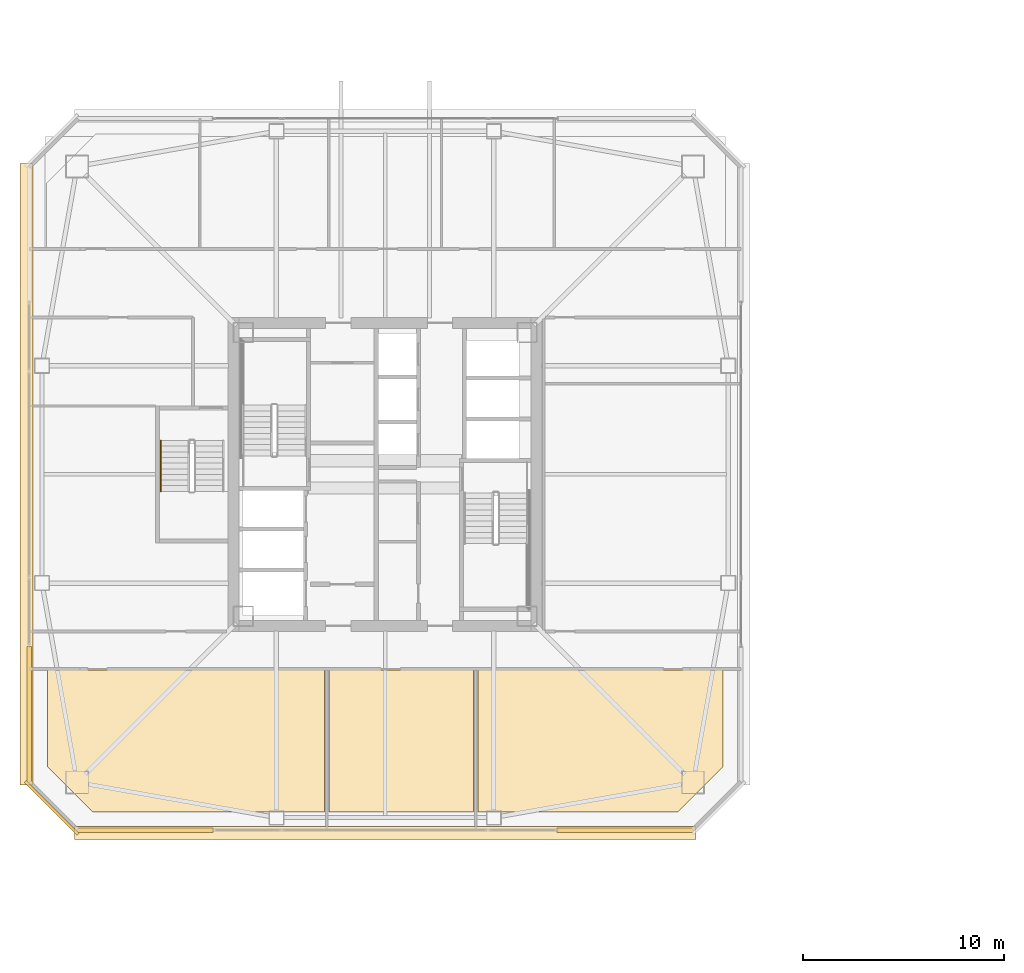
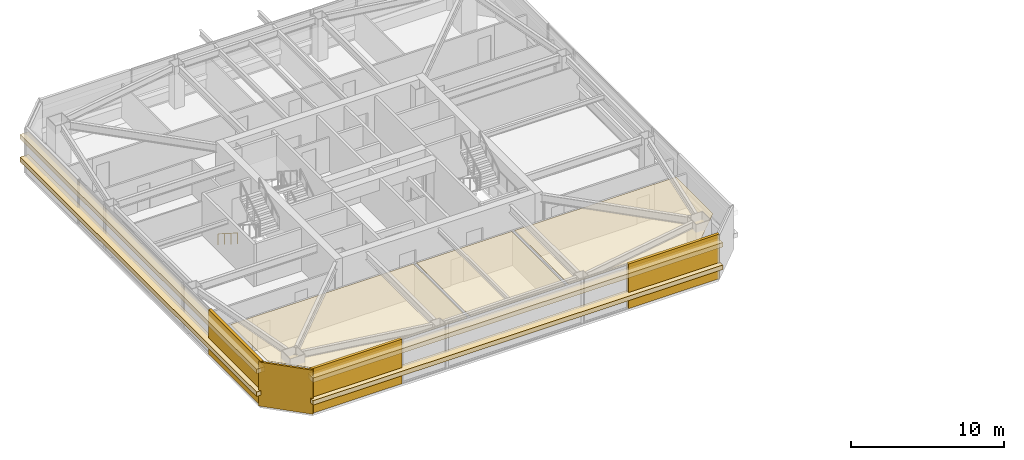
# One storey, part 37 of 42: 11 coverings, 1 railing.
"""IFC4 building model written with IfcOpenShell, lengths in metres."""

import ifcopenshell
import ifcopenshell.guid

model = None  # the IFC model being written
_history = None  # IfcOwnerHistory: only IFC2X3 demands one
_inside = {}  # id of a spatial element -> (the spatial element, [elements in it])
_under = {}  # id of a project, library or spatial element -> (it, [spatial elements below it])
_declared = {}  # id of a project -> (the project, [libraries it declares])
_typed = {}  # id of a type object -> (the type object, [elements of that type])
_made_of = {}  # id of a material, layer set ... -> (it, [elements and type objects made of it])


def new_model(schema):
    """Start an empty IFC model of exactly this schema.

    Asked for "IFC4X3", IfcOpenShell would pick the latest addendum, in which some entities
    have other attributes; the version numbers below select the first issue.
    IFC2X3 requires an IfcOwnerHistory on every rooted entity: one is made here for all.
    """
    global model, _history
    if schema == "IFC4X3":
        model = ifcopenshell.file(schema_version=(4, 3, 0, 0))
    else:
        model = ifcopenshell.file(schema=schema)
    _inside.clear()
    _under.clear()
    _declared.clear()
    _typed.clear()
    _made_of.clear()
    _history = None
    if model.schema == "IFC2X3":
        org = make("IfcOrganization", Name="unknown")
        user = make(
            "IfcPersonAndOrganization",
            ThePerson=make("IfcPerson", FamilyName="unknown"),
            TheOrganization=org,
        )
        app = make(
            "IfcApplication",
            ApplicationDeveloper=org,
            Version="unknown",
            ApplicationFullName="unknown",
            ApplicationIdentifier="unknown",
        )
        _history = make(
            "IfcOwnerHistory",
            OwningUser=user,
            OwningApplication=app,
            ChangeAction="ADDED",
            CreationDate=0,
        )
    return model


def make(cls, **values):
    """One entity of the class cls with the attributes given. An attribute that is None is left unset."""
    return model.create_entity(
        cls, **{name: value for name, value in values.items() if value is not None}
    )


def rooted(cls, **values):
    """An entity with a GlobalId (a new one), such as an element, a storey or a relation."""
    return make(cls, GlobalId=ifcopenshell.guid.new(), OwnerHistory=_history, **values)


def si_unit(unit_type, name, prefix=None):
    """IfcSIUnit, for example si_unit("LENGTHUNIT", "METRE", prefix="MILLI")."""
    return make("IfcSIUnit", UnitType=unit_type, Prefix=prefix, Name=name)


def assignment(units):
    """IfcUnitAssignment: the units of a project."""
    return None if units is None else make("IfcUnitAssignment", Units=units)


def point(xyz):
    """IfcCartesianPoint."""
    return None if xyz is None else make("IfcCartesianPoint", Coordinates=xyz)


def direction(xyz):
    """IfcDirection."""
    return None if xyz is None else make("IfcDirection", DirectionRatios=xyz)


def frame(location, z_axis=None, x_axis=None):
    """IfcAxis2Placement3D, a coordinate frame: its origin and axes. An axis left out is left unset."""
    return make(
        "IfcAxis2Placement3D",
        Location=point(location),
        Axis=direction(z_axis),
        RefDirection=direction(x_axis),
    )


def frame_2d(location, x_axis=None):
    """IfcAxis2Placement2D, a coordinate frame in the plane: its origin and x axis."""
    return make(
        "IfcAxis2Placement2D", Location=point(location), RefDirection=direction(x_axis)
    )


def origin():
    """The frame at (0, 0, 0) with its axes left unset."""
    return frame((0.0, 0.0, 0.0))


def origin_2d():
    """The frame at (0, 0) in the plane with its x axis left unset."""
    return frame_2d((0.0, 0.0))


def place(relative_to, where):
    """IfcLocalPlacement: puts the frame where relative to a parent placement (None: the world)."""
    return make(
        "IfcLocalPlacement", PlacementRelTo=relative_to, RelativePlacement=where
    )


def context(
    kind, dimensions, precision=None, world=None, true_north=None, identifier=None
):
    """IfcGeometricRepresentationContext, for example the 3D "Model" context."""
    return make(
        "IfcGeometricRepresentationContext",
        ContextIdentifier=identifier,
        ContextType=kind,
        CoordinateSpaceDimension=dimensions,
        Precision=precision,
        WorldCoordinateSystem=world,
        TrueNorth=true_north,
    )


def subcontext(parent, identifier, kind, view, scale=None):
    """IfcGeometricRepresentationSubContext, for example "Body" below "Model"."""
    return make(
        "IfcGeometricRepresentationSubContext",
        ContextIdentifier=identifier,
        ContextType=kind,
        ParentContext=parent,
        TargetScale=scale,
        TargetView=view,
    )


def project(units=None, contexts=None):
    """IfcProject with its units and contexts."""
    return rooted(
        "IfcProject",
        Name="project",
        RepresentationContexts=contexts,
        UnitsInContext=assignment(units),
    )


def spatial(cls, under=None, at=None, **own):
    """A site, building, storey or space (cls), placed at a placement, below another one or the project."""
    s = rooted(cls, ObjectPlacement=at, **own)
    if under is not None:
        _under.setdefault(under.id(), (under, []))[1].append(s)
    return s


def polyline(points):
    """IfcPolyline through the points."""
    return make("IfcPolyline", Points=[point(p) for p in points])


def profile(cls, at=None, kind="AREA", **sizes):
    """A parametric profile (cls). Its sizes go by their IFC names, for example OverallWidth=200.0."""
    return make(cls, ProfileType=kind, Position=at, **sizes)


def rectangle(**sizes):
    """IfcRectangleProfileDef."""
    return profile("IfcRectangleProfileDef", **sizes)


def outline(outer, holes=None, kind="AREA"):
    """IfcArbitraryClosedProfileDef: a profile drawn as a closed curve; with holes, ...WithVoids."""
    if holes is None:
        return make("IfcArbitraryClosedProfileDef", ProfileType=kind, OuterCurve=outer)
    return make(
        "IfcArbitraryProfileDefWithVoids",
        ProfileType=kind,
        OuterCurve=outer,
        InnerCurves=holes,
    )


def extrude(swept, where, along, depth):
    """IfcExtrudedAreaSolid: the profile swept, set in the frame where, extruded along a direction by depth."""
    return make(
        "IfcExtrudedAreaSolid",
        SweptArea=swept,
        Position=where,
        ExtrudedDirection=direction(along),
        Depth=depth,
    )


def shape(context_of_items, identifier, shape_type, items):
    """IfcShapeRepresentation: the items that make up one representation, for example the "Body"."""
    return make(
        "IfcShapeRepresentation",
        ContextOfItems=context_of_items,
        RepresentationIdentifier=identifier,
        RepresentationType=shape_type,
        Items=items,
    )


def material(Name=None, Category=None):
    """IfcMaterial."""
    return make("IfcMaterial", Name=Name, Category=Category)


def layer(
    of_material, thickness, ventilated=None, Name=None, Category=None, Priority=None
):
    """IfcMaterialLayer: one layer of a wall or slab, of a material (None: an air gap)."""
    return make(
        "IfcMaterialLayer",
        Material=of_material,
        LayerThickness=thickness,
        IsVentilated=ventilated,
        Name=Name,
        Category=Category,
        Priority=Priority,
    )


def layer_set(layers, Name=None):
    """IfcMaterialLayerSet."""
    return make("IfcMaterialLayerSet", MaterialLayers=layers, LayerSetName=Name)


def made_of(thing, what):
    """Note that an element or type object is made of a material, layer set ...; save() writes the relation."""
    if what is not None:
        _made_of.setdefault(what.id(), (what, []))[1].append(thing)
    return thing


def type_object(cls, material=None, **own):
    """A type object (cls), such as IfcWallType, which elements share."""
    return made_of(rooted(cls, **own), material)


def element(
    cls,
    number,
    at=None,
    inside=None,
    cuts=None,
    type_object=None,
    material=None,
    context=None,
    identifier="Body",
    shape_type=None,
    held_by="IfcProductDefinitionShape",
    body=None,
    shapes=None,
    **own,
):
    """One element of the class cls, such as IfcWall. Its Tag is "e" and its number.

    at: its placement. inside: the storey or other place that contains it. cuts: it is an
    opening in that element (IfcRelVoidsElement). A single representation is given by context,
    identifier, shape_type and body (its items); several are given by shapes. held_by: the class
    of the entity that holds the representations. save() writes the other relations.
    """
    e = rooted(cls, Tag="e%d" % number, ObjectPlacement=at, **own)
    if body is not None:
        shapes = [shape(context, identifier, shape_type, body)]
    if shapes is not None:
        e.Representation = make(held_by, Representations=shapes)
    if inside is not None:
        _inside.setdefault(inside.id(), (inside, []))[1].append(e)
    if cuts is not None:
        rooted(
            "IfcRelVoidsElement", RelatingBuildingElement=cuts, RelatedOpeningElement=e
        )
    if type_object is not None:
        _typed.setdefault(type_object.id(), (type_object, []))[1].append(e)
    return made_of(e, material)


def aggregate(whole, parts):
    """IfcRelAggregates: a whole, such as a stair, and the parts it consists of."""
    return rooted("IfcRelAggregates", RelatingObject=whole, RelatedObjects=parts)


def save(model, path):
    """Write the relations noted so far, then the file.

    IfcRelAggregates (storeys below a building ...), IfcRelContainedInSpatialStructure (elements
    in a storey), IfcRelDefinesByType, IfcRelAssociatesMaterial and IfcRelDeclares: one each for
    every whole, place, type object, material and project.
    """
    for whole, parts in _under.values():
        aggregate(whole, parts)
    for where, things in _inside.values():
        rooted(
            "IfcRelContainedInSpatialStructure",
            RelatedElements=things,
            RelatingStructure=where,
        )
    for kind, things in _typed.values():
        rooted("IfcRelDefinesByType", RelatedObjects=things, RelatingType=kind)
    for what, things in _made_of.values():
        rooted("IfcRelAssociatesMaterial", RelatedObjects=things, RelatingMaterial=what)
    for by, libraries in _declared.values():
        rooted("IfcRelDeclares", RelatingContext=by, RelatedDefinitions=libraries)
    model.write(path)


model = new_model("IFC4")

# Units and contexts
model_context = context("Model", 3, precision=1e-05, world=origin(), true_north=direction((0.0, 1.0)))
body_context = subcontext(model_context, "Body", "Model", "MODEL_VIEW")
ifc_project = project(units=[si_unit("LENGTHUNIT", "METRE"), si_unit("AREAUNIT", "SQUARE_METRE"), si_unit("VOLUMEUNIT", "CUBIC_METRE"), si_unit("PLANEANGLEUNIT", "RADIAN"), si_unit("MASSUNIT", "GRAM", prefix="KILO")], contexts=[model_context])

# Site, building, storey
site_placement = place(None, origin())
site = spatial("IfcSite", under=ifc_project, at=site_placement, CompositionType="ELEMENT")
building_placement = place(site_placement, origin())
building = spatial("IfcBuilding", under=site, at=building_placement, Name="Tashvorn Skyway Center", CompositionType="ELEMENT")
storey_placement = place(building_placement, frame((0.0, 0.0, 164.10009765625)))
storey = spatial("IfcBuildingStorey", under=building, at=storey_placement, Name="L44", CompositionType="ELEMENT", Elevation=164.10009765625)

# Coverings
ifc_material_1 = material(Name="Precast concrete C40/50", Category="concrete")
ifc_layer_1 = layer(ifc_material_1, 0.199951171875)
ifc_layer_set_1 = layer_set([ifc_layer_1], Name="Precast concrete C40/50")
covering_type_1 = type_object("IfcCoveringType", Name="COV-BRACE-CLAD", PredefinedType="CLADDING", material=ifc_layer_set_1)
for number, where, z_axis, x_axis, name in (
    (1, (53.962158203125, 14.320068359375, 0.0), (0.0, 0.0, 1.0), (-1.0, 0.0, 0.0), "Tower 1 L44 South Unitised Curtain Wall Mega-Brace Cladding Band 1"),
    (2, (30.037841796875, 14.320068359375, 0.0), (0.0, 0.0, 1.0), (-1.0, 0.0, 0.0), "Tower 1 L44 South Unitised Curtain Wall Mega-Brace Cladding Band 2"),
    (3, (24.320068359375, 20.037841796875, 0.0), (0.0, 0.0, 1.0), (0.0, 1.0, 0.0), "Tower 1 L44 West Unitised Curtain Wall Mega-Brace Cladding Band 1"),
):
    element("IfcCovering", number, at=place(storey_placement, frame(where, z_axis=z_axis, x_axis=x_axis)), inside=storey, type_object=covering_type_1, Name=name, PredefinedType="CLADDING", context=body_context, shape_type="SweptSolid", body=[
        extrude(rectangle(XDim=6.835693359375, YDim=0.199951171875, at=origin_2d()), origin(), (0.0, 0.0, 1.0), 3.550048828125),
    ])
ifc_material_2 = material(Name="Mineral-fibre acoustic ceiling tile on suspended grid")
ifc_layer_2 = layer(ifc_material_2, 0.02001953125)
ifc_layer_set_2 = layer_set([ifc_layer_2], Name="Mineral-fibre acoustic ceiling tile on suspended grid")
covering_type_2 = type_object("IfcCoveringType", Name="COV-CEIL-20", PredefinedType="CEILING", material=ifc_layer_set_2)
covering_1_placement = place(storey_placement, frame((0.0, 0.0, 2.702880859375)))
element("IfcCovering", 4, at=covering_1_placement, inside=storey, type_object=covering_type_2, Name="Tower 1 L44 Research Library Acoustic Ceiling", PredefinedType="CEILING", context=body_context, shape_type="SweptSolid", body=[
    extrude(outline(polyline([(25.219970703125, 22.2900390625), (38.97998046875, 22.2900390625), (38.97998046875, 15.219970703125), (27.47998046875, 15.219970703125), (25.219970703125, 17.47998046875), (25.219970703125, 22.2900390625)])), origin(), (0.0, 0.0, 1.0), 0.02001953125),
])
covering_2_placement = place(storey_placement, frame((0.0, 0.0, 2.702880859375)))
element("IfcCovering", 5, at=covering_2_placement, inside=storey, type_object=covering_type_2, Name="Tower 1 L44 Staff Fitness Club Acoustic Ceiling", PredefinedType="CEILING", context=body_context, shape_type="SweptSolid", body=[
    extrude(outline(polyline([(39.219970703125, 22.2900390625), (46.3798828125, 22.2900390625), (46.3798828125, 15.219970703125), (39.219970703125, 15.219970703125), (39.219970703125, 22.2900390625)])), origin(), (0.0, 0.0, 1.0), 0.02001953125),
])
covering_3_placement = place(storey_placement, frame((0.0, 0.0, 2.702880859375)))
element("IfcCovering", 6, at=covering_3_placement, inside=storey, type_object=covering_type_2, Name="Tower 1 L44 Staff Fitness Club Acoustic Ceiling", PredefinedType="CEILING", context=body_context, shape_type="SweptSolid", body=[
    extrude(outline(polyline([(46.6201171875, 15.219970703125), (46.6201171875, 22.2900390625), (58.780029296875, 22.2900390625), (58.780029296875, 17.47998046875), (56.52001953125, 15.219970703125), (46.6201171875, 15.219970703125)])), origin(), (0.0, 0.0, 1.0), 0.02001953125),
])
ifc_material_3 = material(Name="Perforated ceramic-coated bronze aluminium solar screen", Category="aluminium")
ifc_layer_3 = layer(ifc_material_3, 0.85009765625)
ifc_layer_set_3 = layer_set([ifc_layer_3], Name="Perforated ceramic-coated bronze aluminium solar screen")
covering_type_3 = type_object("IfcCoveringType", Name="COV-SOLAR-BAND", PredefinedType="CLADDING", material=ifc_layer_set_3)
for number, where, z_axis, x_axis, name in (
    (7, (42.0, 14.179931640625, 0.919921875), (0.0, 0.0, 1.0), (-1.0, 0.0, 0.0), "L44 Perforated Ceramic-Metal Solar Screen Louvre Band South 1"),
    (8, (42.0, 14.179931640625, 2.7197265625), (0.0, 0.0, 1.0), (-1.0, 0.0, 0.0), "L44 Perforated Ceramic-Metal Solar Screen Louvre Band South 2"),
    (9, (24.179931640625, 32.0, 0.919921875), (0.0, 0.0, 1.0), (0.0, 1.0, 0.0), "L44 Perforated Ceramic-Metal Solar Screen Louvre Band West 1"),
    (10, (24.179931640625, 32.0, 2.7197265625), (0.0, 0.0, 1.0), (0.0, 1.0, 0.0), "L44 Perforated Ceramic-Metal Solar Screen Louvre Band West 2"),
):
    element("IfcCovering", number, at=place(storey_placement, frame(where, z_axis=z_axis, x_axis=x_axis)), inside=storey, type_object=covering_type_3, Name=name, PredefinedType="CLADDING", context=body_context, shape_type="SweptSolid", body=[
        extrude(rectangle(XDim=30.8798828125, YDim=0.639892578125, at=origin_2d()), origin(), (0.0, 0.0, 1.0), 0.360107421875),
    ])
ifc_layer_4 = layer(ifc_material_1, 0.35009765625)
ifc_layer_set_4 = layer_set([ifc_layer_4], Name="Precast concrete C40/50")
covering_type_4 = type_object("IfcCoveringType", Name="COV-STONE-TRIM", PredefinedType="CLADDING", material=ifc_layer_set_4)
covering_4_placement = place(storey_placement, frame((25.429931640625, 15.429931640625, 0.02001953125), z_axis=(0.0, 0.0, 1.0), x_axis=(-0.707106781187, 0.707106781187, 0.0)))
element("IfcCovering", 11, at=covering_4_placement, inside=storey, type_object=covering_type_4, Name="Tower 1 L44 SW Mojave Limestone Corner Quoin", PredefinedType="CLADDING", context=body_context, shape_type="SweptSolid", body=[
    extrude(rectangle(XDim=3.695556640625, YDim=0.139892578125, at=origin_2d()), origin(), (0.0, 0.0, 1.0), 3.510009765625),
])

# Railing
ifc_material_4 = material(Name="Brushed stainless steel 316", Category="steel")
railing_type = type_object("IfcRailingType", Name="RAIL-HAND-920", PredefinedType="HANDRAIL", material=ifc_material_4)
railing_placement = place(storey_placement, frame((30.85009765625, 33.679931640625, 0.177490234375)))
element("IfcRailing", 12, at=railing_placement, inside=storey, type_object=railing_type, Name="L44 ST-T1-3 stair handrail 1", PredefinedType="HANDRAIL", context=body_context, shape_type="SweptSolid", body=[
    extrude(rectangle(XDim=0.048095703125, YDim=0.048095703125, at=origin_2d()), frame((0.0, 0.0, 0.8759765625), z_axis=(0.0, -0.84460694969, 0.535386869969), x_axis=(1.0, 0.0, 0.0)), (0.0, 0.0, 1.0), 2.983642578125),
    extrude(rectangle(XDim=0.0419921875, YDim=0.0419921875, at=origin_2d()), origin(), (0.0, 0.0, 1.0), 0.851806640625),
    extrude(rectangle(XDim=0.0419921875, YDim=0.0419921875, at=origin_2d()), frame((0.0, -0.840087890625, 0.532470703125)), (0.0, 0.0, 1.0), 0.851806640625),
    extrude(rectangle(XDim=0.0419921875, YDim=0.0419921875, at=origin_2d()), frame((0.0, -1.679931640625, 1.06494140625)), (0.0, 0.0, 1.0), 0.851806640625),
    extrude(rectangle(XDim=0.0419921875, YDim=0.0419921875, at=origin_2d()), frame((0.0, -2.52001953125, 1.597412109375)), (0.0, 0.0, 1.0), 0.851806640625),
])

save(model, "model.ifc")
